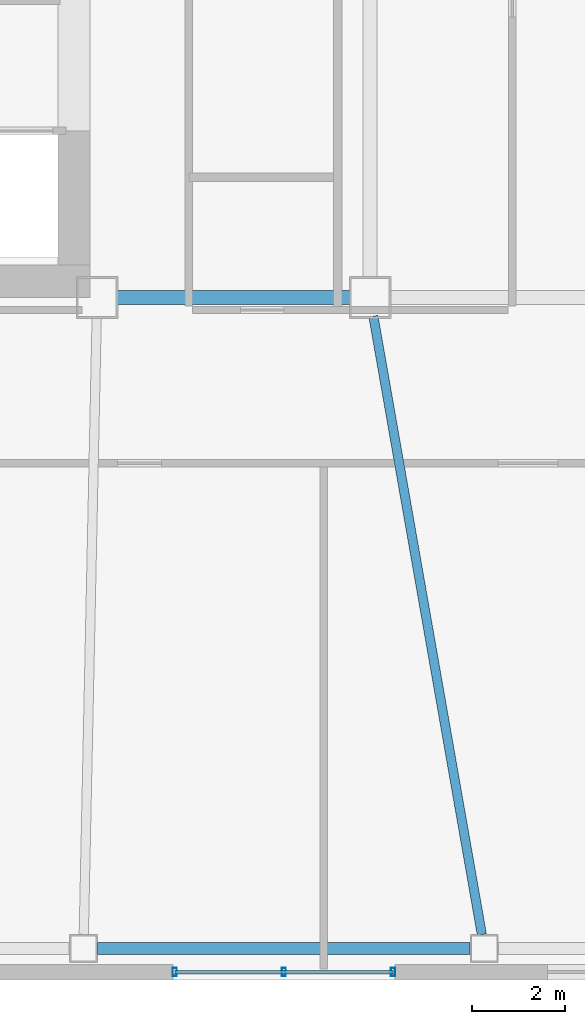
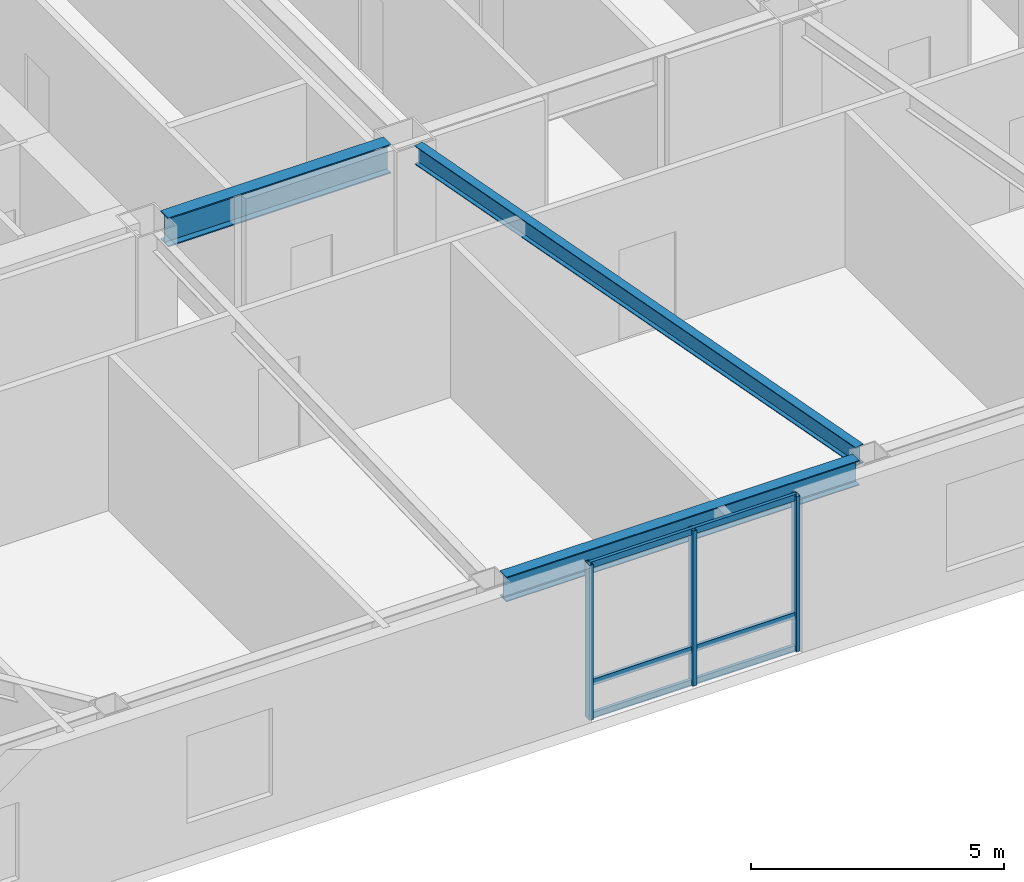
# One storey, part 2 of 18: 6 members, 3 beams, 1 element without a shape of its own.
"""IFC4 building model written with IfcOpenShell, lengths in metres."""

from ifc_helpers import new_model, si_unit, direction, frame, origin, origin_2d, place, context, subcontext, project, spatial, hollow_rectangle, i_section, extrude, material, layer, layer_set, material_profile, profile_set, type_object, element, aggregate, save


model = new_model("IFC4")

# Units and contexts
model_context = context("Model", 3, precision=1e-05, world=origin(), true_north=direction((0.0, 1.0)))
body_context = subcontext(model_context, "Body", "Model", "MODEL_VIEW")
ifc_project = project(units=[si_unit("LENGTHUNIT", "METRE"), si_unit("AREAUNIT", "SQUARE_METRE"), si_unit("VOLUMEUNIT", "CUBIC_METRE"), si_unit("PLANEANGLEUNIT", "RADIAN"), si_unit("MASSUNIT", "GRAM", prefix="KILO")], contexts=[model_context])

# Site, building, storey
site_placement = place(None, origin())
site = spatial("IfcSite", under=ifc_project, at=site_placement, CompositionType="ELEMENT")
building_placement = place(site_placement, origin())
building = spatial("IfcBuilding", under=site, at=building_placement, Name="Tavrogorsk Clinical Tower", CompositionType="ELEMENT")
storey_placement = place(building_placement, frame((0.0, 0.0, 192.199951171875)))
storey = spatial("IfcBuildingStorey", under=building, at=storey_placement, Name="L44", CompositionType="ELEMENT", Elevation=192.199951171875)

# Curtain wall, members
ifc_material_1 = material(Name="Anodised aluminium and triple IGU glazing", Category="aluminium")
ifc_layer = layer(ifc_material_1, 0.179931640625)
ifc_layer_set = layer_set([ifc_layer], Name="Anodised aluminium and triple IGU glazing")
curtain_wall_type = type_object("IfcCurtainWallType", Name="CW3_SouthSlot", PredefinedType="NOTDEFINED", material=ifc_layer_set)
curtain_wall_placement = place(storey_placement, origin())
curtain_wall = element("IfcCurtainWall", 1, at=curtain_wall_placement, inside=storey, type_object=curtain_wall_type, Name="L44 Curtain Wall CW-L44-S-SLOT-1", PredefinedType="NOTDEFINED")
ifc_material_2 = material(Name="Anodised aluminium alloy AW-6060", Category="aluminium")
ifc_material_profile_1 = material_profile(ifc_material_2, hollow_rectangle(XDim=0.090087890625, YDim=0.179931640625, WallThickness=0.00634765625, at=origin_2d()), Name="RHS-180x90x6.3")
ifc_profile_set_1 = profile_set([ifc_material_profile_1], Name="Anodised aluminium alloy AW-6060")
member_type_1 = type_object("IfcMemberType", Name="CwMullion_180x90", PredefinedType="MULLION", material=ifc_profile_set_1)
member_1_placement = place(storey_placement, frame((-8.621826171875, -20.929931640625, 0.0), z_axis=(0.0, 0.0, 1.0), x_axis=(1.0, 0.0, 0.0)))
member_1 = element("IfcMember", 2, at=member_1_placement, type_object=member_type_1, Name="CW-L44-S-SLOT-1 Mullion 1", PredefinedType="MULLION", context=body_context, shape_type="SweptSolid", body=[
    extrude(hollow_rectangle(XDim=0.090087890625, YDim=0.179931640625, WallThickness=0.00634765625, at=origin_2d()), origin(), (0.0, 0.0, 1.0), 3.739990234375),
])
member_2_placement = place(storey_placement, frame((-6.262939453125, -20.929931640625, 0.0), z_axis=(0.0, 0.0, 1.0), x_axis=(1.0, 0.0, 0.0)))
member_2 = element("IfcMember", 3, at=member_2_placement, type_object=member_type_1, Name="CW-L44-S-SLOT-1 Mullion 2", PredefinedType="MULLION", context=body_context, shape_type="SweptSolid", body=[
    extrude(hollow_rectangle(XDim=0.090087890625, YDim=0.179931640625, WallThickness=0.00634765625, at=origin_2d()), origin(), (0.0, 0.0, 1.0), 3.739990234375),
])
member_3_placement = place(storey_placement, frame((-3.90380859375, -20.929931640625, 0.0), z_axis=(0.0, 0.0, 1.0), x_axis=(1.0, 0.0, 0.0)))
member_3 = element("IfcMember", 4, at=member_3_placement, type_object=member_type_1, Name="CW-L44-S-SLOT-1 Mullion 3", PredefinedType="MULLION", context=body_context, shape_type="SweptSolid", body=[
    extrude(hollow_rectangle(XDim=0.090087890625, YDim=0.179931640625, WallThickness=0.00634765625, at=origin_2d()), origin(), (0.0, 0.0, 1.0), 3.739990234375),
])
ifc_material_3 = material(Name="Anodised aluminium alloy AW-6060", Category="aluminium")
ifc_material_profile_2 = material_profile(ifc_material_3, hollow_rectangle(XDim=0.074951171875, YDim=0.14990234375, WallThickness=0.0048828125, at=origin_2d()), Name="RHS-150x75x5")
ifc_profile_set_2 = profile_set([ifc_material_profile_2], Name="Anodised aluminium alloy AW-6060")
member_type_2 = type_object("IfcMemberType", Name="CwTransom_150x75", PredefinedType="USERDEFINED", material=ifc_profile_set_2)
member_4_placement = place(storey_placement, frame((-8.621826171875, -20.929931640625, 0.050048828125), z_axis=(1.0, 0.0, 0.0), x_axis=(0.0, 1.0, 0.0)))
member_4 = element("IfcMember", 5, at=member_4_placement, type_object=member_type_2, Name="CW-L44-S-SLOT-1 Transom 1", ObjectType="TRANSOM", PredefinedType="USERDEFINED", context=body_context, shape_type="SweptSolid", body=[
    extrude(hollow_rectangle(XDim=0.074951171875, YDim=0.14990234375, WallThickness=0.0048828125, at=origin_2d()), origin(), (0.0, 0.0, 1.0), 4.718017578125),
])
member_5_placement = place(storey_placement, frame((-8.621826171875, -20.929931640625, 0.85009765625), z_axis=(1.0, 0.0, 0.0), x_axis=(0.0, 1.0, 0.0)))
member_5 = element("IfcMember", 6, at=member_5_placement, type_object=member_type_2, Name="CW-L44-S-SLOT-1 Transom 2", ObjectType="TRANSOM", PredefinedType="USERDEFINED", context=body_context, shape_type="SweptSolid", body=[
    extrude(hollow_rectangle(XDim=0.074951171875, YDim=0.14990234375, WallThickness=0.0048828125, at=origin_2d()), origin(), (0.0, 0.0, 1.0), 4.718017578125),
])
member_6_placement = place(storey_placement, frame((-8.621826171875, -20.929931640625, 3.68994140625), z_axis=(1.0, 0.0, 0.0), x_axis=(0.0, 1.0, 0.0)))
member_6 = element("IfcMember", 7, at=member_6_placement, type_object=member_type_2, Name="CW-L44-S-SLOT-1 Transom 3", ObjectType="TRANSOM", PredefinedType="USERDEFINED", context=body_context, shape_type="SweptSolid", body=[
    extrude(hollow_rectangle(XDim=0.074951171875, YDim=0.14990234375, WallThickness=0.0048828125, at=origin_2d()), origin(), (0.0, 0.0, 1.0), 4.718017578125),
])
aggregate(curtain_wall, [member_1, member_2, member_3, member_4, member_5, member_6])

# Beams
ifc_material_4 = material(Name="Structural steel S355", Category="steel")
ifc_material_profile_3 = material_profile(ifc_material_4, i_section(OverallWidth=0.199951171875, OverallDepth=0.449951171875, WebThickness=0.011474609375, FlangeThickness=0.01806640625, at=origin_2d()), Name="B-450x200x11.5x18")
ifc_profile_set_3 = profile_set([ifc_material_profile_3], Name="Structural steel S355")
beam_type_1 = type_object("IfcBeamType", Name="FloorBeam_B450", PredefinedType="BEAM", material=ifc_profile_set_3)
beam_1_placement = place(storey_placement, frame((-4.3291015625, -6.75390625, 3.51513671875), z_axis=(0.172808972689, -0.984955358866, 0.0), x_axis=(0.984955358866, 0.172808972689, 0.0)))
element("IfcBeam", 8, at=beam_1_placement, inside=storey, type_object=beam_type_1, Name="L44 Radial Floor Beam S4", PredefinedType="BEAM", context=body_context, shape_type="SweptSolid", body=[
    extrude(i_section(OverallWidth=0.199951171875, OverallDepth=0.449951171875, WebThickness=0.011474609375, FlangeThickness=0.01806640625, at=origin_2d()), origin(), (0.0, 0.0, 1.0), 13.56689453125),
])
ifc_material_5 = material(Name="Structural steel S390", Category="steel")
ifc_material_profile_4 = material_profile(ifc_material_5, i_section(OverallWidth=0.300048828125, OverallDepth=0.699951171875, WebThickness=0.01708984375, FlangeThickness=0.028076171875, at=origin_2d()), Name="B-700x300x17x28")
ifc_profile_set_4 = profile_set([ifc_material_profile_4], Name="Structural steel S390")
beam_type_2 = type_object("IfcBeamType", Name="PrimaryGirder_B700", PredefinedType="USERDEFINED", material=ifc_profile_set_4)
beam_2_placement = place(storey_placement, frame((-9.889892578125, -6.35009765625, 3.39013671875), z_axis=(1.0, 0.0, 0.0), x_axis=(0.0, 1.0, 0.0)))
element("IfcBeam", 9, at=beam_2_placement, inside=storey, type_object=beam_type_2, Name="L44 Primary Spine Girder MG-01", ObjectType="GIRDER", PredefinedType="USERDEFINED", context=body_context, shape_type="SweptSolid", body=[
    extrude(i_section(OverallWidth=0.300048828125, OverallDepth=0.699951171875, WebThickness=0.01708984375, FlangeThickness=0.028076171875, at=origin_2d()), origin(), (0.0, 0.0, 1.0), 5.079833984375),
])
ifc_material_6 = material(Name="Structural steel S390", Category="steel")
ifc_material_profile_5 = material_profile(ifc_material_6, i_section(OverallWidth=0.260009765625, OverallDepth=0.60009765625, WebThickness=0.014892578125, FlangeThickness=0.02392578125, at=origin_2d()), Name="B-600x260x15x24")
ifc_profile_set_5 = profile_set([ifc_material_profile_5], Name="Structural steel S390")
beam_type_3 = type_object("IfcBeamType", Name="SpandrelBeam_B600", PredefinedType="SPANDREL", material=ifc_profile_set_5)
beam_3_placement = place(storey_placement, frame((-10.286376953125, -20.419921875, 3.43994140625), z_axis=(1.0, 0.0, 0.0), x_axis=(0.0, 1.0, 0.0)))
element("IfcBeam", 10, at=beam_3_placement, inside=storey, type_object=beam_type_3, Name="L44 Perimeter Spandrel S3-S4", PredefinedType="SPANDREL", context=body_context, shape_type="SweptSolid", body=[
    extrude(i_section(OverallWidth=0.260009765625, OverallDepth=0.60009765625, WebThickness=0.014892578125, FlangeThickness=0.02392578125, at=origin_2d()), origin(), (0.0, 0.0, 1.0), 8.046875),
])

save(model, "model.ifc")
